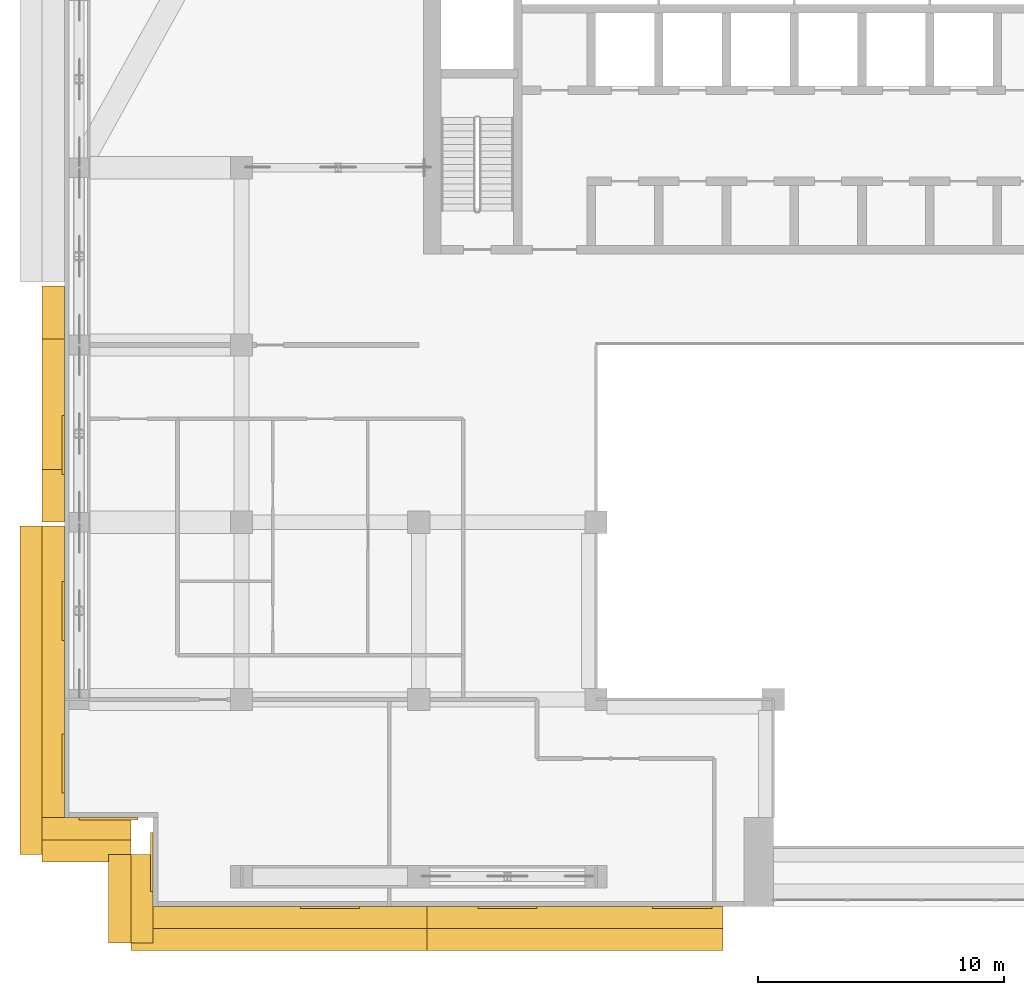
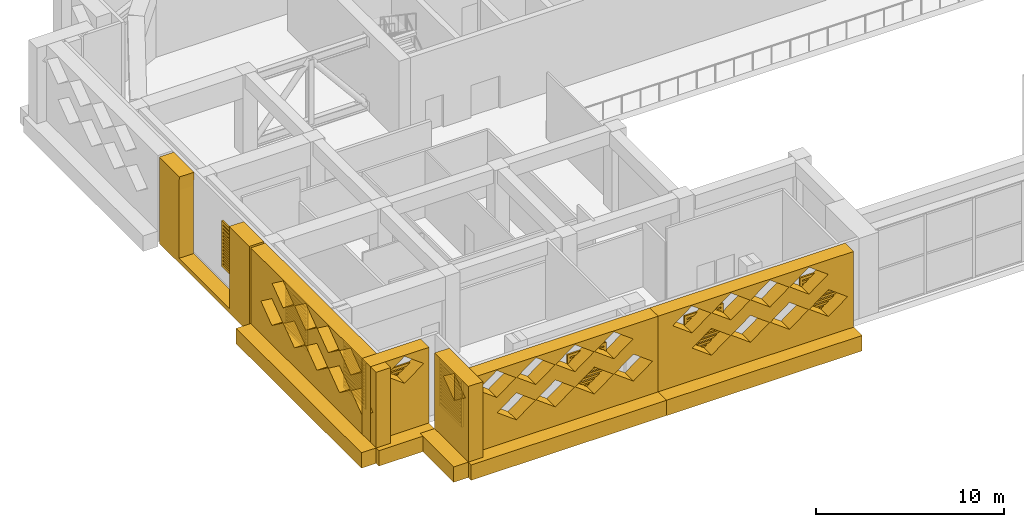
# One storey, part 14 of 20: 19 coverings.
"""IFC4 building model written with IfcOpenShell, lengths in metres."""

from ifc_helpers import new_model, si_unit, direction, frame, origin, place, context, subcontext, project, spatial, polyline, outline, extrude, material, layer, layer_set, type_object, element, save


model = new_model("IFC4")

# Units and contexts
model_context = context("Model", 3, precision=1e-05, world=origin(), true_north=direction((0.0, 1.0)))
body_context = subcontext(model_context, "Body", "Model", "MODEL_VIEW")
ifc_project = project(units=[si_unit("LENGTHUNIT", "METRE"), si_unit("AREAUNIT", "SQUARE_METRE"), si_unit("VOLUMEUNIT", "CUBIC_METRE"), si_unit("PLANEANGLEUNIT", "RADIAN"), si_unit("MASSUNIT", "GRAM", prefix="KILO")], contexts=[model_context])

# Site, building, storey
site_placement = place(None, origin())
site = spatial("IfcSite", under=ifc_project, at=site_placement, CompositionType="ELEMENT")
building_placement = place(site_placement, origin())
building = spatial("IfcBuilding", under=site, at=building_placement, Name="Saffron Iwan Residences", CompositionType="ELEMENT")
storey_placement = place(building_placement, frame((0.0, 0.0, 206.0)))
storey = spatial("IfcBuildingStorey", under=building, at=storey_placement, Name="L55", CompositionType="ELEMENT", Elevation=206.0)

# Coverings
ifc_material_1 = material(Name="Precast concrete C40/50 white painted", Category="concrete")
covering_type_1 = type_object("IfcCoveringType", Name="IWAN PANEL PRECAST WHITE", PredefinedType="CLADDING", material=ifc_material_1)
covering_1_placement = place(storey_placement, frame((14.39990234375, 64.800048828125, -0.39990234375), z_axis=(-1.0, 0.0, 0.0), x_axis=(0.0, -1.0, 0.0)))
element("IfcCovering", 1, at=covering_1_placement, inside=storey, type_object=covering_type_1, Name="Iwan panel L55 F8.0", PredefinedType="CLADDING", context=body_context, shape_type="SweptSolid", body=[
    extrude(outline(polyline([(9.60009765625, 5.6201171875), (9.60009765625, 0.0), (0.0, 0.0), (0.0, 5.6201171875), (2.150390625, 5.6201171875), (2.12841796875, 5.434814453125), (2.10009765625, 4.71240234375), (2.10009765625, 0.300048828125), (7.5, 0.300048828125), (7.5, 4.71240234375), (7.4716796875, 5.434814453125), (7.44970703125, 5.6201171875), (9.60009765625, 5.6201171875)])), origin(), (0.0, 0.0, 1.0), 0.89990234375),
])
ifc_material_2 = material(Name="Precast concrete C40/50", Category="concrete")
covering_type_2 = type_object("IfcCoveringType", Name="OUTER SKIN LATTICE SCREEN", PredefinedType="CLADDING", material=ifc_material_2)
covering_2_placement = place(storey_placement, frame((14.39990234375, 55.050048828125, -0.39990234375), z_axis=(-1.0, 0.0, 0.0), x_axis=(0.0, -1.0, 0.0)))
element("IfcCovering", 2, at=covering_2_placement, inside=storey, type_object=covering_type_2, Name="OUTER SKIN lattice screen L55 F8.1", PredefinedType="CLADDING", context=body_context, shape_type="SweptSolid", body=[
    extrude(outline(polyline([(0.0, 0.0), (13.35009765625, 0.0), (13.35009765625, 5.6201171875), (0.0, 5.6201171875), (0.0, 0.0)]), holes=[polyline([(1.070068359375, 2.81005859375), (2.25, 1.933349609375), (3.429931640625, 2.81005859375), (2.25, 3.686767578125), (1.070068359375, 2.81005859375)]), polyline([(3.469970703125, 2.81005859375), (4.64990234375, 1.933349609375), (5.830078125, 2.81005859375), (4.64990234375, 3.686767578125), (3.469970703125, 2.81005859375)]), polyline([(5.8701171875, 2.81005859375), (7.050048828125, 1.933349609375), (8.22998046875, 2.81005859375), (7.050048828125, 3.686767578125), (5.8701171875, 2.81005859375)]), polyline([(8.27001953125, 2.81005859375), (9.449951171875, 1.933349609375), (10.6298828125, 2.81005859375), (9.449951171875, 3.686767578125), (8.27001953125, 2.81005859375)]), polyline([(10.669921875, 2.81005859375), (11.85009765625, 1.933349609375), (13.030029296875, 2.81005859375), (11.85009765625, 3.686767578125), (10.669921875, 2.81005859375)]), polyline([(2.27001953125, 4.683349609375), (3.449951171875, 3.806640625), (4.6298828125, 4.683349609375), (3.449951171875, 5.56005859375), (2.27001953125, 4.683349609375)]), polyline([(4.669921875, 4.683349609375), (5.85009765625, 3.806640625), (7.030029296875, 4.683349609375), (5.85009765625, 5.56005859375), (4.669921875, 4.683349609375)]), polyline([(7.070068359375, 4.683349609375), (8.25, 3.806640625), (9.429931640625, 4.683349609375), (8.25, 5.56005859375), (7.070068359375, 4.683349609375)]), polyline([(9.469970703125, 4.683349609375), (10.64990234375, 3.806640625), (11.830078125, 4.683349609375), (10.64990234375, 5.56005859375), (9.469970703125, 4.683349609375)])]), origin(), (0.0, 0.0, 1.0), 0.89990234375),
])
for number, where, z_axis, x_axis, name in (
    (3, (13.5, 43.199951171875, -0.39990234375), (0.0, -1.0, 0.0), (1.0, 0.0, 0.0), "OUTER SKIN lattice screen L55 F9.0"),
    (4, (18.0, 41.699951171875, -0.39990234375), (-1.0, 0.0, 0.0), (0.0, -1.0, 0.0), "OUTER SKIN lattice screen L55 F10.0"),
):
    element("IfcCovering", number, at=place(storey_placement, frame(where, z_axis=z_axis, x_axis=x_axis)), inside=storey, type_object=covering_type_2, Name=name, PredefinedType="CLADDING", context=body_context, shape_type="SweptSolid", body=[
        extrude(outline(polyline([(0.0, 0.0), (3.60009765625, 0.0), (3.60009765625, 5.6201171875), (0.0, 5.6201171875), (0.0, 0.0)]), holes=[polyline([(0.919921875, 4.683349609375), (2.10009765625, 3.806640625), (3.280029296875, 4.683349609375), (2.10009765625, 5.56005859375), (0.919921875, 4.683349609375)])]), origin(), (0.0, 0.0, 1.0), 0.89990234375),
    ])
covering_3_placement = place(storey_placement, frame((17.10009765625, 39.60009765625, -0.39990234375), z_axis=(0.0, -1.0, 0.0), x_axis=(1.0, 0.0, 0.0)))
element("IfcCovering", 5, at=covering_3_placement, inside=storey, type_object=covering_type_2, Name="OUTER SKIN lattice screen L55 F11.0", PredefinedType="CLADDING", context=body_context, shape_type="SweptSolid", body=[
    extrude(outline(polyline([(0.0, 0.0), (12.02490234375, 0.0), (12.02490234375, 5.6201171875), (0.0, 5.6201171875), (0.0, 0.0)]), holes=[polyline([(2.1201171875, 2.81005859375), (3.300048828125, 1.933349609375), (4.47998046875, 2.81005859375), (3.300048828125, 3.686767578125), (2.1201171875, 2.81005859375)]), polyline([(4.52001953125, 2.81005859375), (5.699951171875, 1.933349609375), (6.8798828125, 2.81005859375), (5.699951171875, 3.686767578125), (4.52001953125, 2.81005859375)]), polyline([(6.919921875, 2.81005859375), (8.10009765625, 1.933349609375), (9.280029296875, 2.81005859375), (8.10009765625, 3.686767578125), (6.919921875, 2.81005859375)]), polyline([(9.320068359375, 2.81005859375), (10.5, 1.933349609375), (11.679931640625, 2.81005859375), (10.5, 3.686767578125), (9.320068359375, 2.81005859375)]), polyline([(0.919921875, 4.683349609375), (2.10009765625, 3.806640625), (3.280029296875, 4.683349609375), (2.10009765625, 5.56005859375), (0.919921875, 4.683349609375)]), polyline([(3.320068359375, 4.683349609375), (4.5, 3.806640625), (5.679931640625, 4.683349609375), (4.5, 5.56005859375), (3.320068359375, 4.683349609375)]), polyline([(5.719970703125, 4.683349609375), (6.89990234375, 3.806640625), (8.080078125, 4.683349609375), (6.89990234375, 5.56005859375), (5.719970703125, 4.683349609375)]), polyline([(8.1201171875, 4.683349609375), (9.300048828125, 3.806640625), (10.47998046875, 4.683349609375), (9.300048828125, 5.56005859375), (8.1201171875, 4.683349609375)])]), origin(), (0.0, 0.0, 1.0), 0.900146484375),
])
covering_4_placement = place(storey_placement, frame((29.125, 39.60009765625, -0.39990234375), z_axis=(0.0, -1.0, 0.0), x_axis=(1.0, 0.0, 0.0)))
element("IfcCovering", 6, at=covering_4_placement, inside=storey, type_object=covering_type_2, Name="OUTER SKIN lattice screen L55 F11.1", PredefinedType="CLADDING", context=body_context, shape_type="SweptSolid", body=[
    extrude(outline(polyline([(0.0, 0.0), (12.02490234375, 0.0), (12.02490234375, 5.6201171875), (0.0, 5.6201171875), (0.0, 0.0)]), holes=[polyline([(2.094970703125, 2.81005859375), (3.27490234375, 1.933349609375), (4.455078125, 2.81005859375), (3.27490234375, 3.686767578125), (2.094970703125, 2.81005859375)]), polyline([(4.4951171875, 2.81005859375), (5.675048828125, 1.933349609375), (6.85498046875, 2.81005859375), (5.675048828125, 3.686767578125), (4.4951171875, 2.81005859375)]), polyline([(6.89501953125, 2.81005859375), (8.074951171875, 1.933349609375), (9.2548828125, 2.81005859375), (8.074951171875, 3.686767578125), (6.89501953125, 2.81005859375)]), polyline([(9.294921875, 2.81005859375), (10.47509765625, 1.933349609375), (11.655029296875, 2.81005859375), (10.47509765625, 3.686767578125), (9.294921875, 2.81005859375)]), polyline([(0.89501953125, 4.683349609375), (2.074951171875, 3.806640625), (3.2548828125, 4.683349609375), (2.074951171875, 5.56005859375), (0.89501953125, 4.683349609375)]), polyline([(3.294921875, 4.683349609375), (4.47509765625, 3.806640625), (5.655029296875, 4.683349609375), (4.47509765625, 5.56005859375), (3.294921875, 4.683349609375)]), polyline([(5.695068359375, 4.683349609375), (6.875, 3.806640625), (8.054931640625, 4.683349609375), (6.875, 5.56005859375), (5.695068359375, 4.683349609375)]), polyline([(8.094970703125, 4.683349609375), (9.27490234375, 3.806640625), (10.455078125, 4.683349609375), (9.27490234375, 5.56005859375), (8.094970703125, 4.683349609375)])]), origin(), (0.0, 0.0, 1.0), 0.900146484375),
])
ifc_material_3 = material(Name="Aluminium 6063-T6 louvre", Category="aluminium")
covering_type_3 = type_object("IfcCoveringType", Name="PLANT LOUVRE PANEL 2400 x 3000", PredefinedType="CLADDING", material=ifc_material_3)
covering_5_placement = place(storey_placement, frame((14.39990234375, 59.52880859375, 1.0), z_axis=(-1.0, 0.0, 0.0), x_axis=(0.0, -1.0, 0.0)))
element("IfcCovering", 7, at=covering_5_placement, inside=storey, type_object=covering_type_3, Name="Plant louvre L55 F8.0", PredefinedType="CLADDING", context=body_context, shape_type="SweptSolid", body=[
    extrude(outline(polyline([(0.0, 0.0), (2.39990234375, 0.0), (2.39990234375, 3.0), (0.0, 3.0), (0.0, 0.0)]), holes=[polyline([(0.14990234375, 0.199951171875), (2.25, 0.199951171875), (2.25, 0.2900390625), (0.14990234375, 0.2900390625), (0.14990234375, 0.199951171875)]), polyline([(0.14990234375, 0.429931640625), (2.25, 0.429931640625), (2.25, 0.52001953125), (0.14990234375, 0.52001953125), (0.14990234375, 0.429931640625)]), polyline([(0.14990234375, 0.659912109375), (2.25, 0.659912109375), (2.25, 0.75), (0.14990234375, 0.75), (0.14990234375, 0.659912109375)]), polyline([(0.14990234375, 0.889892578125), (2.25, 0.889892578125), (2.25, 0.97998046875), (0.14990234375, 0.97998046875), (0.14990234375, 0.889892578125)]), polyline([(0.14990234375, 1.1201171875), (2.25, 1.1201171875), (2.25, 1.2099609375), (0.14990234375, 1.2099609375), (0.14990234375, 1.1201171875)]), polyline([(0.14990234375, 1.35009765625), (2.25, 1.35009765625), (2.25, 1.43994140625), (0.14990234375, 1.43994140625), (0.14990234375, 1.35009765625)]), polyline([(0.14990234375, 1.580078125), (2.25, 1.580078125), (2.25, 1.669921875), (0.14990234375, 1.669921875), (0.14990234375, 1.580078125)]), polyline([(0.14990234375, 1.81005859375), (2.25, 1.81005859375), (2.25, 1.89990234375), (0.14990234375, 1.89990234375), (0.14990234375, 1.81005859375)]), polyline([(0.14990234375, 2.0400390625), (2.25, 2.0400390625), (2.25, 2.1298828125), (0.14990234375, 2.1298828125), (0.14990234375, 2.0400390625)]), polyline([(0.14990234375, 2.27001953125), (2.25, 2.27001953125), (2.25, 2.360107421875), (0.14990234375, 2.360107421875), (0.14990234375, 2.27001953125)]), polyline([(0.14990234375, 2.5), (2.25, 2.5), (2.25, 2.590087890625), (0.14990234375, 2.590087890625), (0.14990234375, 2.5)]), polyline([(0.14990234375, 2.72998046875), (2.25, 2.72998046875), (2.25, 2.820068359375), (0.14990234375, 2.820068359375), (0.14990234375, 2.72998046875)])]), origin(), (0.0, 0.0, 1.0), 0.099853515625),
])
covering_6_placement = place(storey_placement, frame((14.39990234375, 52.800048828125, 1.0), z_axis=(-1.0, 0.0, 0.0), x_axis=(0.0, -1.0, 0.0)))
element("IfcCovering", 8, at=covering_6_placement, inside=storey, type_object=covering_type_3, Name="Plant louvre L55 F8.1", PredefinedType="CLADDING", context=body_context, shape_type="SweptSolid", body=[
    extrude(outline(polyline([(0.0, 0.0), (2.39990234375, 0.0), (2.39990234375, 3.0), (0.0, 3.0), (0.0, 0.0)]), holes=[polyline([(0.14990234375, 0.199951171875), (2.25, 0.199951171875), (2.25, 0.2900390625), (0.14990234375, 0.2900390625), (0.14990234375, 0.199951171875)]), polyline([(0.14990234375, 0.429931640625), (2.25, 0.429931640625), (2.25, 0.52001953125), (0.14990234375, 0.52001953125), (0.14990234375, 0.429931640625)]), polyline([(0.14990234375, 0.659912109375), (2.25, 0.659912109375), (2.25, 0.75), (0.14990234375, 0.75), (0.14990234375, 0.659912109375)]), polyline([(0.14990234375, 0.889892578125), (2.25, 0.889892578125), (2.25, 0.97998046875), (0.14990234375, 0.97998046875), (0.14990234375, 0.889892578125)]), polyline([(0.14990234375, 1.1201171875), (2.25, 1.1201171875), (2.25, 1.2099609375), (0.14990234375, 1.2099609375), (0.14990234375, 1.1201171875)]), polyline([(0.14990234375, 1.35009765625), (2.25, 1.35009765625), (2.25, 1.43994140625), (0.14990234375, 1.43994140625), (0.14990234375, 1.35009765625)]), polyline([(0.14990234375, 1.580078125), (2.25, 1.580078125), (2.25, 1.669921875), (0.14990234375, 1.669921875), (0.14990234375, 1.580078125)]), polyline([(0.14990234375, 1.81005859375), (2.25, 1.81005859375), (2.25, 1.89990234375), (0.14990234375, 1.89990234375), (0.14990234375, 1.81005859375)]), polyline([(0.14990234375, 2.0400390625), (2.25, 2.0400390625), (2.25, 2.1298828125), (0.14990234375, 2.1298828125), (0.14990234375, 2.0400390625)]), polyline([(0.14990234375, 2.27001953125), (2.25, 2.27001953125), (2.25, 2.360107421875), (0.14990234375, 2.360107421875), (0.14990234375, 2.27001953125)]), polyline([(0.14990234375, 2.5), (2.25, 2.5), (2.25, 2.590087890625), (0.14990234375, 2.590087890625), (0.14990234375, 2.5)]), polyline([(0.14990234375, 2.72998046875), (2.25, 2.72998046875), (2.25, 2.820068359375), (0.14990234375, 2.820068359375), (0.14990234375, 2.72998046875)])]), origin(), (0.0, 0.0, 1.0), 0.099853515625),
])
covering_7_placement = place(storey_placement, frame((14.39990234375, 46.60009765625, 1.0), z_axis=(-1.0, 0.0, 0.0), x_axis=(0.0, -1.0, 0.0)))
element("IfcCovering", 9, at=covering_7_placement, inside=storey, type_object=covering_type_3, Name="Plant louvre L55 F8.2", PredefinedType="CLADDING", context=body_context, shape_type="SweptSolid", body=[
    extrude(outline(polyline([(0.0, 0.0), (2.39990234375, 0.0), (2.39990234375, 3.0), (0.0, 3.0), (0.0, 0.0)]), holes=[polyline([(0.14990234375, 0.199951171875), (2.25, 0.199951171875), (2.25, 0.2900390625), (0.14990234375, 0.2900390625), (0.14990234375, 0.199951171875)]), polyline([(0.14990234375, 0.429931640625), (2.25, 0.429931640625), (2.25, 0.52001953125), (0.14990234375, 0.52001953125), (0.14990234375, 0.429931640625)]), polyline([(0.14990234375, 0.659912109375), (2.25, 0.659912109375), (2.25, 0.75), (0.14990234375, 0.75), (0.14990234375, 0.659912109375)]), polyline([(0.14990234375, 0.889892578125), (2.25, 0.889892578125), (2.25, 0.97998046875), (0.14990234375, 0.97998046875), (0.14990234375, 0.889892578125)]), polyline([(0.14990234375, 1.1201171875), (2.25, 1.1201171875), (2.25, 1.2099609375), (0.14990234375, 1.2099609375), (0.14990234375, 1.1201171875)]), polyline([(0.14990234375, 1.35009765625), (2.25, 1.35009765625), (2.25, 1.43994140625), (0.14990234375, 1.43994140625), (0.14990234375, 1.35009765625)]), polyline([(0.14990234375, 1.580078125), (2.25, 1.580078125), (2.25, 1.669921875), (0.14990234375, 1.669921875), (0.14990234375, 1.580078125)]), polyline([(0.14990234375, 1.81005859375), (2.25, 1.81005859375), (2.25, 1.89990234375), (0.14990234375, 1.89990234375), (0.14990234375, 1.81005859375)]), polyline([(0.14990234375, 2.0400390625), (2.25, 2.0400390625), (2.25, 2.1298828125), (0.14990234375, 2.1298828125), (0.14990234375, 2.0400390625)]), polyline([(0.14990234375, 2.27001953125), (2.25, 2.27001953125), (2.25, 2.360107421875), (0.14990234375, 2.360107421875), (0.14990234375, 2.27001953125)]), polyline([(0.14990234375, 2.5), (2.25, 2.5), (2.25, 2.590087890625), (0.14990234375, 2.590087890625), (0.14990234375, 2.5)]), polyline([(0.14990234375, 2.72998046875), (2.25, 2.72998046875), (2.25, 2.820068359375), (0.14990234375, 2.820068359375), (0.14990234375, 2.72998046875)])]), origin(), (0.0, 0.0, 1.0), 0.099853515625),
])
covering_8_placement = place(storey_placement, frame((15.0, 43.199951171875, 1.0), z_axis=(0.0, -1.0, 0.0), x_axis=(1.0, 0.0, 0.0)))
element("IfcCovering", 10, at=covering_8_placement, inside=storey, type_object=covering_type_3, Name="Plant louvre L55 F9.0", PredefinedType="CLADDING", context=body_context, shape_type="SweptSolid", body=[
    extrude(outline(polyline([(0.0, 0.0), (2.39990234375, 0.0), (2.39990234375, 3.0), (0.0, 3.0), (0.0, 0.0)]), holes=[polyline([(0.14990234375, 0.199951171875), (2.25, 0.199951171875), (2.25, 0.2900390625), (0.14990234375, 0.2900390625), (0.14990234375, 0.199951171875)]), polyline([(0.14990234375, 0.429931640625), (2.25, 0.429931640625), (2.25, 0.52001953125), (0.14990234375, 0.52001953125), (0.14990234375, 0.429931640625)]), polyline([(0.14990234375, 0.659912109375), (2.25, 0.659912109375), (2.25, 0.75), (0.14990234375, 0.75), (0.14990234375, 0.659912109375)]), polyline([(0.14990234375, 0.889892578125), (2.25, 0.889892578125), (2.25, 0.97998046875), (0.14990234375, 0.97998046875), (0.14990234375, 0.889892578125)]), polyline([(0.14990234375, 1.1201171875), (2.25, 1.1201171875), (2.25, 1.2099609375), (0.14990234375, 1.2099609375), (0.14990234375, 1.1201171875)]), polyline([(0.14990234375, 1.35009765625), (2.25, 1.35009765625), (2.25, 1.43994140625), (0.14990234375, 1.43994140625), (0.14990234375, 1.35009765625)]), polyline([(0.14990234375, 1.580078125), (2.25, 1.580078125), (2.25, 1.669921875), (0.14990234375, 1.669921875), (0.14990234375, 1.580078125)]), polyline([(0.14990234375, 1.81005859375), (2.25, 1.81005859375), (2.25, 1.89990234375), (0.14990234375, 1.89990234375), (0.14990234375, 1.81005859375)]), polyline([(0.14990234375, 2.0400390625), (2.25, 2.0400390625), (2.25, 2.1298828125), (0.14990234375, 2.1298828125), (0.14990234375, 2.0400390625)]), polyline([(0.14990234375, 2.27001953125), (2.25, 2.27001953125), (2.25, 2.360107421875), (0.14990234375, 2.360107421875), (0.14990234375, 2.27001953125)]), polyline([(0.14990234375, 2.5), (2.25, 2.5), (2.25, 2.590087890625), (0.14990234375, 2.590087890625), (0.14990234375, 2.5)]), polyline([(0.14990234375, 2.72998046875), (2.25, 2.72998046875), (2.25, 2.820068359375), (0.14990234375, 2.820068359375), (0.14990234375, 2.72998046875)])]), origin(), (0.0, 0.0, 1.0), 0.099853515625),
])
covering_9_placement = place(storey_placement, frame((18.0, 42.60009765625, 1.0), z_axis=(-1.0, 0.0, 0.0), x_axis=(0.0, -1.0, 0.0)))
element("IfcCovering", 11, at=covering_9_placement, inside=storey, type_object=covering_type_3, Name="Plant louvre L55 F10.0", PredefinedType="CLADDING", context=body_context, shape_type="SweptSolid", body=[
    extrude(outline(polyline([(0.0, 0.0), (2.39990234375, 0.0), (2.39990234375, 3.0), (0.0, 3.0), (0.0, 0.0)]), holes=[polyline([(0.14990234375, 0.199951171875), (2.25, 0.199951171875), (2.25, 0.2900390625), (0.14990234375, 0.2900390625), (0.14990234375, 0.199951171875)]), polyline([(0.14990234375, 0.429931640625), (2.25, 0.429931640625), (2.25, 0.52001953125), (0.14990234375, 0.52001953125), (0.14990234375, 0.429931640625)]), polyline([(0.14990234375, 0.659912109375), (2.25, 0.659912109375), (2.25, 0.75), (0.14990234375, 0.75), (0.14990234375, 0.659912109375)]), polyline([(0.14990234375, 0.889892578125), (2.25, 0.889892578125), (2.25, 0.97998046875), (0.14990234375, 0.97998046875), (0.14990234375, 0.889892578125)]), polyline([(0.14990234375, 1.1201171875), (2.25, 1.1201171875), (2.25, 1.2099609375), (0.14990234375, 1.2099609375), (0.14990234375, 1.1201171875)]), polyline([(0.14990234375, 1.35009765625), (2.25, 1.35009765625), (2.25, 1.43994140625), (0.14990234375, 1.43994140625), (0.14990234375, 1.35009765625)]), polyline([(0.14990234375, 1.580078125), (2.25, 1.580078125), (2.25, 1.669921875), (0.14990234375, 1.669921875), (0.14990234375, 1.580078125)]), polyline([(0.14990234375, 1.81005859375), (2.25, 1.81005859375), (2.25, 1.89990234375), (0.14990234375, 1.89990234375), (0.14990234375, 1.81005859375)]), polyline([(0.14990234375, 2.0400390625), (2.25, 2.0400390625), (2.25, 2.1298828125), (0.14990234375, 2.1298828125), (0.14990234375, 2.0400390625)]), polyline([(0.14990234375, 2.27001953125), (2.25, 2.27001953125), (2.25, 2.360107421875), (0.14990234375, 2.360107421875), (0.14990234375, 2.27001953125)]), polyline([(0.14990234375, 2.5), (2.25, 2.5), (2.25, 2.590087890625), (0.14990234375, 2.590087890625), (0.14990234375, 2.5)]), polyline([(0.14990234375, 2.72998046875), (2.25, 2.72998046875), (2.25, 2.820068359375), (0.14990234375, 2.820068359375), (0.14990234375, 2.72998046875)])]), origin(), (0.0, 0.0, 1.0), 0.10009765625),
])
covering_10_placement = place(storey_placement, frame((24.0, 39.60009765625, 1.0), z_axis=(0.0, -1.0, 0.0), x_axis=(1.0, 0.0, 0.0)))
element("IfcCovering", 12, at=covering_10_placement, inside=storey, type_object=covering_type_3, Name="Plant louvre L55 F11.0", PredefinedType="CLADDING", context=body_context, shape_type="SweptSolid", body=[
    extrude(outline(polyline([(0.0, 0.0), (2.39990234375, 0.0), (2.39990234375, 3.0), (0.0, 3.0), (0.0, 0.0)]), holes=[polyline([(0.14990234375, 0.199951171875), (2.25, 0.199951171875), (2.25, 0.2900390625), (0.14990234375, 0.2900390625), (0.14990234375, 0.199951171875)]), polyline([(0.14990234375, 0.429931640625), (2.25, 0.429931640625), (2.25, 0.52001953125), (0.14990234375, 0.52001953125), (0.14990234375, 0.429931640625)]), polyline([(0.14990234375, 0.659912109375), (2.25, 0.659912109375), (2.25, 0.75), (0.14990234375, 0.75), (0.14990234375, 0.659912109375)]), polyline([(0.14990234375, 0.889892578125), (2.25, 0.889892578125), (2.25, 0.97998046875), (0.14990234375, 0.97998046875), (0.14990234375, 0.889892578125)]), polyline([(0.14990234375, 1.1201171875), (2.25, 1.1201171875), (2.25, 1.2099609375), (0.14990234375, 1.2099609375), (0.14990234375, 1.1201171875)]), polyline([(0.14990234375, 1.35009765625), (2.25, 1.35009765625), (2.25, 1.43994140625), (0.14990234375, 1.43994140625), (0.14990234375, 1.35009765625)]), polyline([(0.14990234375, 1.580078125), (2.25, 1.580078125), (2.25, 1.669921875), (0.14990234375, 1.669921875), (0.14990234375, 1.580078125)]), polyline([(0.14990234375, 1.81005859375), (2.25, 1.81005859375), (2.25, 1.89990234375), (0.14990234375, 1.89990234375), (0.14990234375, 1.81005859375)]), polyline([(0.14990234375, 2.0400390625), (2.25, 2.0400390625), (2.25, 2.1298828125), (0.14990234375, 2.1298828125), (0.14990234375, 2.0400390625)]), polyline([(0.14990234375, 2.27001953125), (2.25, 2.27001953125), (2.25, 2.360107421875), (0.14990234375, 2.360107421875), (0.14990234375, 2.27001953125)]), polyline([(0.14990234375, 2.5), (2.25, 2.5), (2.25, 2.590087890625), (0.14990234375, 2.590087890625), (0.14990234375, 2.5)]), polyline([(0.14990234375, 2.72998046875), (2.25, 2.72998046875), (2.25, 2.820068359375), (0.14990234375, 2.820068359375), (0.14990234375, 2.72998046875)])]), origin(), (0.0, 0.0, 1.0), 0.10009765625),
])
covering_11_placement = place(storey_placement, frame((31.199951171875, 39.60009765625, 1.0), z_axis=(0.0, -1.0, 0.0), x_axis=(1.0, 0.0, 0.0)))
element("IfcCovering", 13, at=covering_11_placement, inside=storey, type_object=covering_type_3, Name="Plant louvre L55 F11.1", PredefinedType="CLADDING", context=body_context, shape_type="SweptSolid", body=[
    extrude(outline(polyline([(0.0, 0.0), (2.39990234375, 0.0), (2.39990234375, 3.0), (0.0, 3.0), (0.0, 0.0)]), holes=[polyline([(0.14990234375, 0.199951171875), (2.25, 0.199951171875), (2.25, 0.2900390625), (0.14990234375, 0.2900390625), (0.14990234375, 0.199951171875)]), polyline([(0.14990234375, 0.429931640625), (2.25, 0.429931640625), (2.25, 0.52001953125), (0.14990234375, 0.52001953125), (0.14990234375, 0.429931640625)]), polyline([(0.14990234375, 0.659912109375), (2.25, 0.659912109375), (2.25, 0.75), (0.14990234375, 0.75), (0.14990234375, 0.659912109375)]), polyline([(0.14990234375, 0.889892578125), (2.25, 0.889892578125), (2.25, 0.97998046875), (0.14990234375, 0.97998046875), (0.14990234375, 0.889892578125)]), polyline([(0.14990234375, 1.1201171875), (2.25, 1.1201171875), (2.25, 1.2099609375), (0.14990234375, 1.2099609375), (0.14990234375, 1.1201171875)]), polyline([(0.14990234375, 1.35009765625), (2.25, 1.35009765625), (2.25, 1.43994140625), (0.14990234375, 1.43994140625), (0.14990234375, 1.35009765625)]), polyline([(0.14990234375, 1.580078125), (2.25, 1.580078125), (2.25, 1.669921875), (0.14990234375, 1.669921875), (0.14990234375, 1.580078125)]), polyline([(0.14990234375, 1.81005859375), (2.25, 1.81005859375), (2.25, 1.89990234375), (0.14990234375, 1.89990234375), (0.14990234375, 1.81005859375)]), polyline([(0.14990234375, 2.0400390625), (2.25, 2.0400390625), (2.25, 2.1298828125), (0.14990234375, 2.1298828125), (0.14990234375, 2.0400390625)]), polyline([(0.14990234375, 2.27001953125), (2.25, 2.27001953125), (2.25, 2.360107421875), (0.14990234375, 2.360107421875), (0.14990234375, 2.27001953125)]), polyline([(0.14990234375, 2.5), (2.25, 2.5), (2.25, 2.590087890625), (0.14990234375, 2.590087890625), (0.14990234375, 2.5)]), polyline([(0.14990234375, 2.72998046875), (2.25, 2.72998046875), (2.25, 2.820068359375), (0.14990234375, 2.820068359375), (0.14990234375, 2.72998046875)])]), origin(), (0.0, 0.0, 1.0), 0.10009765625),
])
covering_12_placement = place(storey_placement, frame((38.300048828125, 39.60009765625, 1.0), z_axis=(0.0, -1.0, 0.0), x_axis=(1.0, 0.0, 0.0)))
element("IfcCovering", 14, at=covering_12_placement, inside=storey, type_object=covering_type_3, Name="Plant louvre L55 F11.2", PredefinedType="CLADDING", context=body_context, shape_type="SweptSolid", body=[
    extrude(outline(polyline([(0.0, 0.0), (2.39990234375, 0.0), (2.39990234375, 3.0), (0.0, 3.0), (0.0, 0.0)]), holes=[polyline([(0.14990234375, 0.199951171875), (2.25, 0.199951171875), (2.25, 0.2900390625), (0.14990234375, 0.2900390625), (0.14990234375, 0.199951171875)]), polyline([(0.14990234375, 0.429931640625), (2.25, 0.429931640625), (2.25, 0.52001953125), (0.14990234375, 0.52001953125), (0.14990234375, 0.429931640625)]), polyline([(0.14990234375, 0.659912109375), (2.25, 0.659912109375), (2.25, 0.75), (0.14990234375, 0.75), (0.14990234375, 0.659912109375)]), polyline([(0.14990234375, 0.889892578125), (2.25, 0.889892578125), (2.25, 0.97998046875), (0.14990234375, 0.97998046875), (0.14990234375, 0.889892578125)]), polyline([(0.14990234375, 1.1201171875), (2.25, 1.1201171875), (2.25, 1.2099609375), (0.14990234375, 1.2099609375), (0.14990234375, 1.1201171875)]), polyline([(0.14990234375, 1.35009765625), (2.25, 1.35009765625), (2.25, 1.43994140625), (0.14990234375, 1.43994140625), (0.14990234375, 1.35009765625)]), polyline([(0.14990234375, 1.580078125), (2.25, 1.580078125), (2.25, 1.669921875), (0.14990234375, 1.669921875), (0.14990234375, 1.580078125)]), polyline([(0.14990234375, 1.81005859375), (2.25, 1.81005859375), (2.25, 1.89990234375), (0.14990234375, 1.89990234375), (0.14990234375, 1.81005859375)]), polyline([(0.14990234375, 2.0400390625), (2.25, 2.0400390625), (2.25, 2.1298828125), (0.14990234375, 2.1298828125), (0.14990234375, 2.0400390625)]), polyline([(0.14990234375, 2.27001953125), (2.25, 2.27001953125), (2.25, 2.360107421875), (0.14990234375, 2.360107421875), (0.14990234375, 2.27001953125)]), polyline([(0.14990234375, 2.5), (2.25, 2.5), (2.25, 2.590087890625), (0.14990234375, 2.590087890625), (0.14990234375, 2.5)]), polyline([(0.14990234375, 2.72998046875), (2.25, 2.72998046875), (2.25, 2.820068359375), (0.14990234375, 2.820068359375), (0.14990234375, 2.72998046875)])]), origin(), (0.0, 0.0, 1.0), 0.10009765625),
])
ifc_layer = layer(ifc_material_1, 0.89990234375)
ifc_layer_set = layer_set([ifc_layer], Name="Precast concrete C40/50 white painted")
covering_type_4 = type_object("IfcCoveringType", Name="WHITE EDGE BAND 900 x 1000", PredefinedType="CLADDING", material=ifc_layer_set)
covering_13_placement = place(storey_placement, frame((0.0, 0.0, -0.699951171875)))
element("IfcCovering", 15, at=covering_13_placement, inside=storey, type_object=covering_type_4, Name="White edge band L55 F8.1", PredefinedType="CLADDING", context=body_context, shape_type="SweptSolid", body=[
    extrude(outline(polyline([(12.60009765625, 55.050048828125), (12.60009765625, 41.699951171875), (13.5, 41.699951171875), (13.5, 55.050048828125), (12.60009765625, 55.050048828125)])), origin(), (0.0, 0.0, 1.0), 1.0),
])
covering_14_placement = place(storey_placement, frame((0.0, 0.0, -0.699951171875)))
element("IfcCovering", 16, at=covering_14_placement, inside=storey, type_object=covering_type_4, Name="White edge band L55 F9.0", PredefinedType="CLADDING", context=body_context, shape_type="SweptSolid", body=[
    extrude(outline(polyline([(13.5, 41.39990234375), (17.10009765625, 41.39990234375), (17.10009765625, 42.300048828125), (13.5, 42.300048828125), (13.5, 41.39990234375)])), origin(), (0.0, 0.0, 1.0), 1.0),
])
covering_15_placement = place(storey_placement, frame((0.0, 0.0, -0.699951171875)))
element("IfcCovering", 17, at=covering_15_placement, inside=storey, type_object=covering_type_4, Name="White edge band L55 F10.0", PredefinedType="CLADDING", context=body_context, shape_type="SweptSolid", body=[
    extrude(outline(polyline([(16.199951171875, 41.699951171875), (16.199951171875, 38.10009765625), (17.10009765625, 38.10009765625), (17.10009765625, 41.699951171875), (16.199951171875, 41.699951171875)])), origin(), (0.0, 0.0, 1.0), 1.0),
])
covering_16_placement = place(storey_placement, frame((0.0, 0.0, -0.699951171875)))
element("IfcCovering", 18, at=covering_16_placement, inside=storey, type_object=covering_type_4, Name="White edge band L55 F11.0", PredefinedType="CLADDING", context=body_context, shape_type="SweptSolid", body=[
    extrude(outline(polyline([(17.10009765625, 37.800048828125), (29.125, 37.800048828125), (29.125, 38.699951171875), (17.10009765625, 38.699951171875), (17.10009765625, 37.800048828125)])), origin(), (0.0, 0.0, 1.0), 1.0),
])
covering_17_placement = place(storey_placement, frame((0.0, 0.0, -0.699951171875)))
element("IfcCovering", 19, at=covering_17_placement, inside=storey, type_object=covering_type_4, Name="White edge band L55 F11.1", PredefinedType="CLADDING", context=body_context, shape_type="SweptSolid", body=[
    extrude(outline(polyline([(29.125, 37.800048828125), (41.14990234375, 37.800048828125), (41.14990234375, 38.699951171875), (29.125, 38.699951171875), (29.125, 37.800048828125)])), origin(), (0.0, 0.0, 1.0), 1.0),
])

save(model, "model.ifc")
